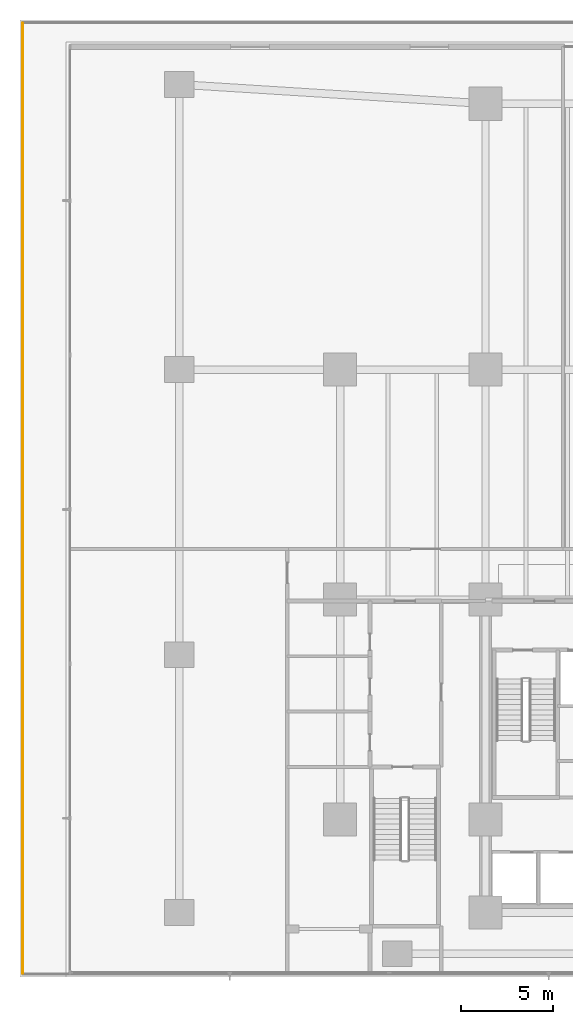
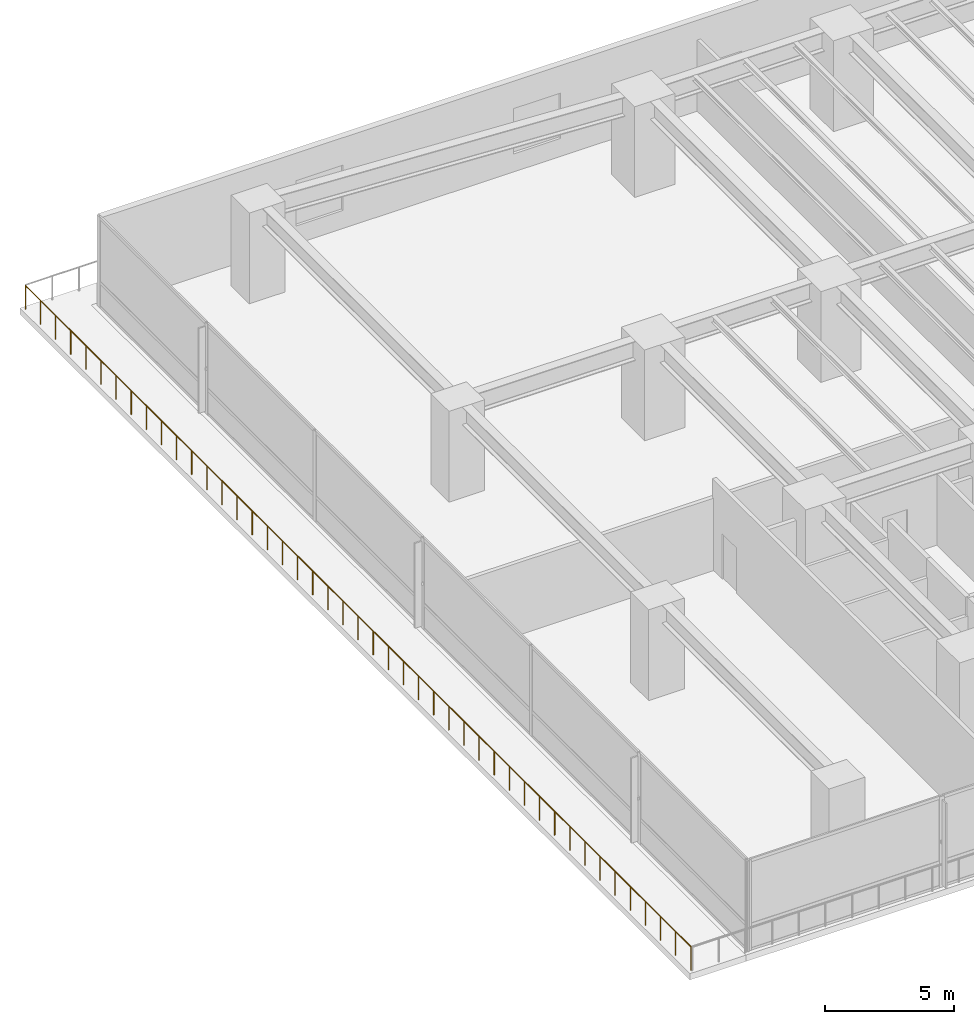
# One storey, part 19 of 27: 1 railing.
"""IFC4 building model written with IfcOpenShell, lengths in metres."""

from ifc_helpers import new_model, si_unit, direction, frame, origin, origin_2d, place, context, subcontext, project, spatial, circle, extrude, material, type_object, element, save


model = new_model("IFC4")

# Units and contexts
model_context = context("Model", 3, precision=1e-05, world=origin(), true_north=direction((0.0, 1.0)))
body_context = subcontext(model_context, "Body", "Model", "MODEL_VIEW")
ifc_project = project(units=[si_unit("LENGTHUNIT", "METRE"), si_unit("AREAUNIT", "SQUARE_METRE"), si_unit("VOLUMEUNIT", "CUBIC_METRE"), si_unit("PLANEANGLEUNIT", "RADIAN"), si_unit("MASSUNIT", "GRAM", prefix="KILO")], contexts=[model_context])

# Site, building, storey
site_placement = place(None, origin())
site = spatial("IfcSite", under=ifc_project, at=site_placement, CompositionType="ELEMENT")
building_placement = place(site_placement, origin())
building = spatial("IfcBuilding", under=site, at=building_placement, Name="Qalmaran Belvedere Hotel", CompositionType="ELEMENT")
storey_placement = place(building_placement, frame((0.0, 0.0, 5.39990234375)))
storey = spatial("IfcBuildingStorey", under=building, at=storey_placement, Name="L01", CompositionType="ELEMENT", Elevation=5.39990234375)

# Railing
ifc_material = material(Name="Anodised Bronze Aluminium", Category="aluminium")
railing_type = type_object("IfcRailingType", Name="GRD-TERR-1150", PredefinedType="BALUSTRADE", material=ifc_material)
railing_placement = place(storey_placement, frame((-4.860107421875, 51.824951171875, 0.0)))
element("IfcRailing", 1, at=railing_placement, inside=storey, type_object=railing_type, Name="L01 Guardrail L01-TERR-4", PredefinedType="BALUSTRADE", context=body_context, shape_type="SweptSolid", body=[
    extrude(circle(Radius=0.02392578125, at=origin_2d()), frame((0.0, 0.0, 1.1259765625), z_axis=(0.0, -1.0, 0.0), x_axis=(1.0, 0.0, 0.0)), (0.0, 0.0, 1.0), 51.64990234375),
    extrude(circle(Radius=0.02099609375, at=origin_2d()), origin(), (0.0, 0.0, 1.0), 1.101806640625),
    extrude(circle(Radius=0.02099609375, at=origin_2d()), frame((0.0, -1.173828125, 0.0)), (0.0, 0.0, 1.0), 1.101806640625),
    extrude(circle(Radius=0.02099609375, at=origin_2d()), frame((0.0, -2.34765625, 0.0)), (0.0, 0.0, 1.0), 1.101806640625),
    extrude(circle(Radius=0.02099609375, at=origin_2d()), frame((0.0, -3.521484375, 0.0)), (0.0, 0.0, 1.0), 1.101806640625),
    extrude(circle(Radius=0.02099609375, at=origin_2d()), frame((0.0, -4.695556640625, 0.0)), (0.0, 0.0, 1.0), 1.101806640625),
    extrude(circle(Radius=0.02099609375, at=origin_2d()), frame((0.0, -5.869384765625, 0.0)), (0.0, 0.0, 1.0), 1.101806640625),
    extrude(circle(Radius=0.02099609375, at=origin_2d()), frame((0.0, -7.043212890625, 0.0)), (0.0, 0.0, 1.0), 1.101806640625),
    extrude(circle(Radius=0.02099609375, at=origin_2d()), frame((0.0, -8.217041015625, 0.0)), (0.0, 0.0, 1.0), 1.101806640625),
    extrude(circle(Radius=0.02099609375, at=origin_2d()), frame((0.0, -9.390869140625, 0.0)), (0.0, 0.0, 1.0), 1.101806640625),
    extrude(circle(Radius=0.02099609375, at=origin_2d()), frame((0.0, -10.564697265625, 0.0)), (0.0, 0.0, 1.0), 1.101806640625),
    extrude(circle(Radius=0.02099609375, at=origin_2d()), frame((0.0, -11.738525390625, 0.0)), (0.0, 0.0, 1.0), 1.101806640625),
    extrude(circle(Radius=0.02099609375, at=origin_2d()), frame((0.0, -12.91259765625, 0.0)), (0.0, 0.0, 1.0), 1.101806640625),
    extrude(circle(Radius=0.02099609375, at=origin_2d()), frame((0.0, -14.08642578125, 0.0)), (0.0, 0.0, 1.0), 1.101806640625),
    extrude(circle(Radius=0.02099609375, at=origin_2d()), frame((0.0, -15.26025390625, 0.0)), (0.0, 0.0, 1.0), 1.101806640625),
    extrude(circle(Radius=0.02099609375, at=origin_2d()), frame((0.0, -16.43408203125, 0.0)), (0.0, 0.0, 1.0), 1.101806640625),
    extrude(circle(Radius=0.02099609375, at=origin_2d()), frame((0.0, -17.60791015625, 0.0)), (0.0, 0.0, 1.0), 1.101806640625),
    extrude(circle(Radius=0.02099609375, at=origin_2d()), frame((0.0, -18.78173828125, 0.0)), (0.0, 0.0, 1.0), 1.101806640625),
    extrude(circle(Radius=0.02099609375, at=origin_2d()), frame((0.0, -19.95556640625, 0.0)), (0.0, 0.0, 1.0), 1.101806640625),
    extrude(circle(Radius=0.02099609375, at=origin_2d()), frame((0.0, -21.12939453125, 0.0)), (0.0, 0.0, 1.0), 1.101806640625),
    extrude(circle(Radius=0.02099609375, at=origin_2d()), frame((0.0, -22.303466796875, 0.0)), (0.0, 0.0, 1.0), 1.101806640625),
    extrude(circle(Radius=0.02099609375, at=origin_2d()), frame((0.0, -23.477294921875, 0.0)), (0.0, 0.0, 1.0), 1.101806640625),
    extrude(circle(Radius=0.02099609375, at=origin_2d()), frame((0.0, -24.651123046875, 0.0)), (0.0, 0.0, 1.0), 1.101806640625),
    extrude(circle(Radius=0.02099609375, at=origin_2d()), frame((0.0, -25.824951171875, 0.0)), (0.0, 0.0, 1.0), 1.101806640625),
    extrude(circle(Radius=0.02099609375, at=origin_2d()), frame((0.0, -26.998779296875, 0.0)), (0.0, 0.0, 1.0), 1.101806640625),
    extrude(circle(Radius=0.02099609375, at=origin_2d()), frame((0.0, -28.172607421875, 0.0)), (0.0, 0.0, 1.0), 1.101806640625),
    extrude(circle(Radius=0.02099609375, at=origin_2d()), frame((0.0, -29.346435546875, 0.0)), (0.0, 0.0, 1.0), 1.101806640625),
    extrude(circle(Radius=0.02099609375, at=origin_2d()), frame((0.0, -30.5205078125, 0.0)), (0.0, 0.0, 1.0), 1.101806640625),
    extrude(circle(Radius=0.02099609375, at=origin_2d()), frame((0.0, -31.6943359375, 0.0)), (0.0, 0.0, 1.0), 1.101806640625),
    extrude(circle(Radius=0.02099609375, at=origin_2d()), frame((0.0, -32.8681640625, 0.0)), (0.0, 0.0, 1.0), 1.101806640625),
    extrude(circle(Radius=0.02099609375, at=origin_2d()), frame((0.0, -34.0419921875, 0.0)), (0.0, 0.0, 1.0), 1.101806640625),
    extrude(circle(Radius=0.02099609375, at=origin_2d()), frame((0.0, -35.2158203125, 0.0)), (0.0, 0.0, 1.0), 1.101806640625),
    extrude(circle(Radius=0.02099609375, at=origin_2d()), frame((0.0, -36.3896484375, 0.0)), (0.0, 0.0, 1.0), 1.101806640625),
    extrude(circle(Radius=0.02099609375, at=origin_2d()), frame((0.0, -37.5634765625, 0.0)), (0.0, 0.0, 1.0), 1.101806640625),
    extrude(circle(Radius=0.02099609375, at=origin_2d()), frame((0.0, -38.7373046875, 0.0)), (0.0, 0.0, 1.0), 1.101806640625),
    extrude(circle(Radius=0.02099609375, at=origin_2d()), frame((0.0, -39.911376953125, 0.0)), (0.0, 0.0, 1.0), 1.101806640625),
    extrude(circle(Radius=0.02099609375, at=origin_2d()), frame((0.0, -41.085205078125, 0.0)), (0.0, 0.0, 1.0), 1.101806640625),
    extrude(circle(Radius=0.02099609375, at=origin_2d()), frame((0.0, -42.259033203125, 0.0)), (0.0, 0.0, 1.0), 1.101806640625),
    extrude(circle(Radius=0.02099609375, at=origin_2d()), frame((0.0, -43.432861328125, 0.0)), (0.0, 0.0, 1.0), 1.101806640625),
    extrude(circle(Radius=0.02099609375, at=origin_2d()), frame((0.0, -44.606689453125, 0.0)), (0.0, 0.0, 1.0), 1.101806640625),
    extrude(circle(Radius=0.02099609375, at=origin_2d()), frame((0.0, -45.780517578125, 0.0)), (0.0, 0.0, 1.0), 1.101806640625),
    extrude(circle(Radius=0.02099609375, at=origin_2d()), frame((0.0, -46.954345703125, 0.0)), (0.0, 0.0, 1.0), 1.101806640625),
    extrude(circle(Radius=0.02099609375, at=origin_2d()), frame((0.0, -48.12841796875, 0.0)), (0.0, 0.0, 1.0), 1.101806640625),
    extrude(circle(Radius=0.02099609375, at=origin_2d()), frame((0.0, -49.30224609375, 0.0)), (0.0, 0.0, 1.0), 1.101806640625),
    extrude(circle(Radius=0.02099609375, at=origin_2d()), frame((0.0, -50.47607421875, 0.0)), (0.0, 0.0, 1.0), 1.101806640625),
    extrude(circle(Radius=0.02099609375, at=origin_2d()), frame((0.0, -51.64990234375, 0.0)), (0.0, 0.0, 1.0), 1.101806640625),
])

save(model, "model.ifc")
